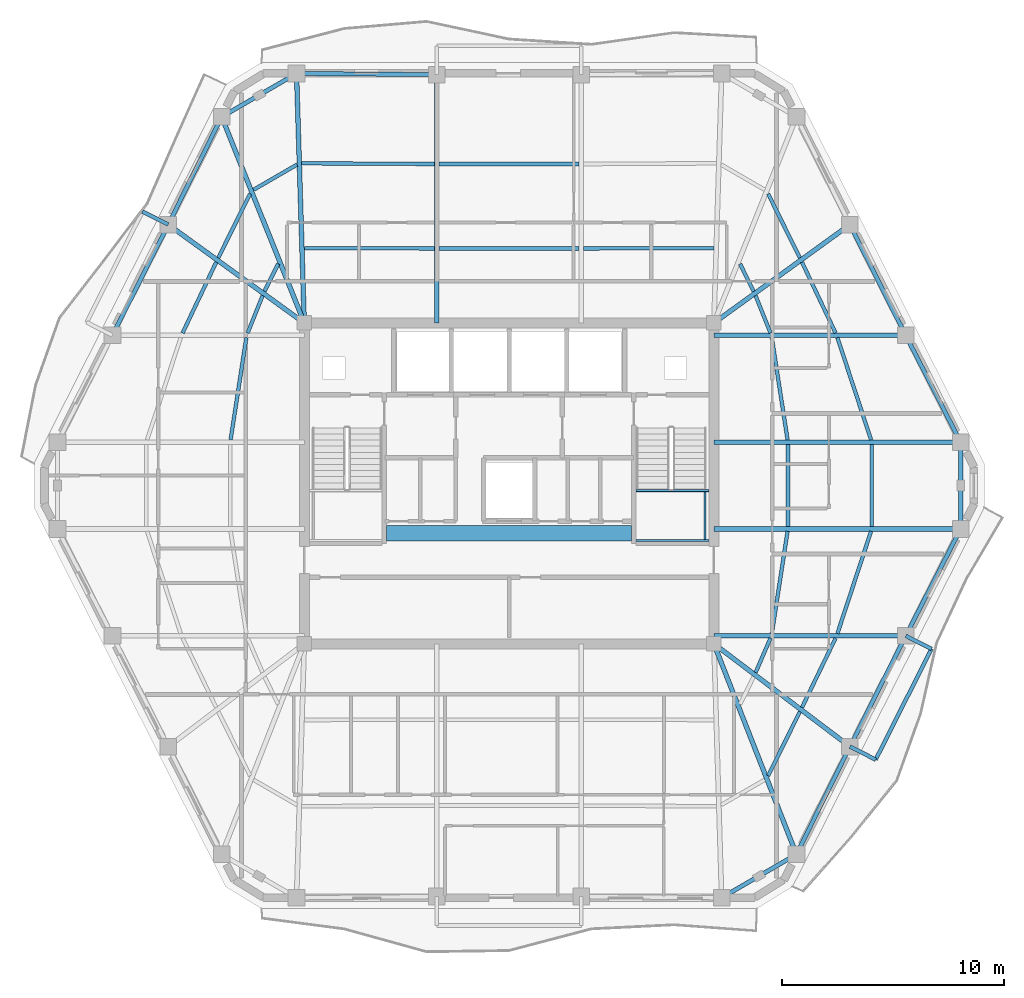
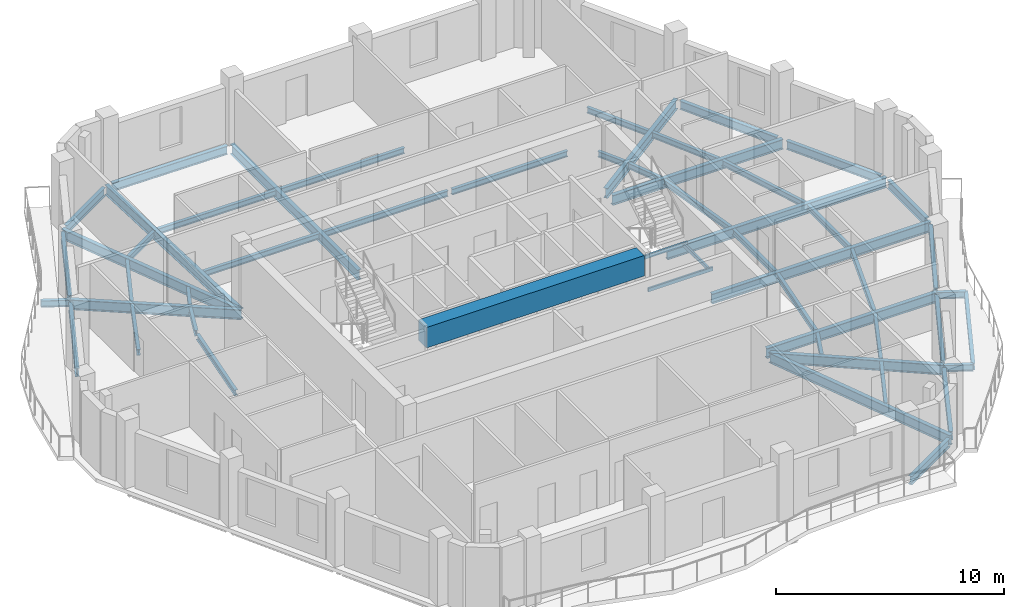
# One storey, part 2 of 11: 54 beams.
"""IFC4 building model written with IfcOpenShell, lengths in metres."""

from ifc_helpers import new_model, si_unit, direction, frame, origin, origin_2d, place, context, subcontext, project, spatial, rectangle, hollow_rectangle, i_section, extrude, material, material_profile, profile_set, type_object, element, save


model = new_model("IFC4")

# Units and contexts
model_context = context("Model", 3, precision=1e-05, world=origin(), true_north=direction((0.0, 1.0)))
body_context = subcontext(model_context, "Body", "Model", "MODEL_VIEW")
ifc_project = project(units=[si_unit("LENGTHUNIT", "METRE"), si_unit("AREAUNIT", "SQUARE_METRE"), si_unit("VOLUMEUNIT", "CUBIC_METRE"), si_unit("PLANEANGLEUNIT", "RADIAN"), si_unit("MASSUNIT", "GRAM", prefix="KILO")], contexts=[model_context])

# Site, building, storey
site_placement = place(None, origin())
site = spatial("IfcSite", under=ifc_project, at=site_placement, CompositionType="ELEMENT")
building_placement = place(site_placement, origin())
building = spatial("IfcBuilding", under=site, at=building_placement, Name="Cinnabar Lancet Tower", CompositionType="ELEMENT")
storey_placement = place(building_placement, frame((0.0, 0.0, 248.89990234375)))
storey = spatial("IfcBuildingStorey", under=building, at=storey_placement, Name="L66", CompositionType="ELEMENT", Elevation=248.89990234375)

# Beams
ifc_material_1 = material(Name="Concrete C70/85", Category="concrete")
ifc_material_profile_1 = material_profile(ifc_material_1, rectangle(XDim=0.699951171875, YDim=1.10009765625, at=origin_2d()), Name="RC-CB 700x1100")
ifc_profile_set_1 = profile_set([ifc_material_profile_1], Name="Concrete C70/85")
beam_type_1 = type_object("IfcBeamType", Name="STR-BM-CB-1100", PredefinedType="BEAM", material=ifc_profile_set_1)
beam_1_placement = place(storey_placement, frame((26.8798828125, 23.64990234375, 2.900146484375), z_axis=(1.0, 0.0, 0.0), x_axis=(0.0, 1.0, 0.0)))
element("IfcBeam", 1, at=beam_1_placement, inside=storey, type_object=beam_type_1, Name="L66 Core Coupling Beam", PredefinedType="BEAM", context=body_context, shape_type="SweptSolid", body=[
    extrude(rectangle(XDim=0.699951171875, YDim=1.10009765625, at=origin_2d()), origin(), (0.0, 0.0, 1.0), 11.0400390625),
])
ifc_material_2 = material(Name="Structural steel S355", Category="steel")
ifc_material_profile_2 = material_profile(ifc_material_2, i_section(OverallWidth=0.1650390625, OverallDepth=0.303466796875, WebThickness=0.006103515625, FlangeThickness=0.01025390625, FilletRadius=0.0087890625, at=origin_2d()), Name="UKB 305x165x40")
ifc_profile_set_2 = profile_set([ifc_material_profile_2], Name="Structural steel S355")
beam_type_2 = type_object("IfcBeamType", Name="STR-BM-JST-305", PredefinedType="JOIST", material=ifc_profile_set_2)
beam_2_placement = place(storey_placement, frame((44.06591796875, 12.73193359375, -0.351806640625), z_axis=(0.444391284604, 0.895832789179, 0.0), x_axis=(-0.895832789179, 0.444391284604, 0.0)))
element("IfcBeam", 2, at=beam_2_placement, inside=storey, type_object=beam_type_2, Name="L66 Secondary Floor Joist 15", PredefinedType="JOIST", context=body_context, shape_type="SweptSolid", body=[
    extrude(i_section(OverallWidth=0.1650390625, OverallDepth=0.303466796875, WebThickness=0.006103515625, FlangeThickness=0.01025390625, FilletRadius=0.0087890625, at=origin_2d()), origin(), (0.0, 0.0, 1.0), 3.220458984375),
])
beam_3_placement = place(storey_placement, frame((45.591064453125, 15.80810546875, -0.351806640625), z_axis=(0.43610936109, 0.899893674369, 0.0), x_axis=(-0.899893674369, 0.43610936109, 0.0)))
element("IfcBeam", 3, at=beam_3_placement, inside=storey, type_object=beam_type_2, Name="L66 Secondary Floor Joist 17", PredefinedType="JOIST", context=body_context, shape_type="SweptSolid", body=[
    extrude(i_section(OverallWidth=0.1650390625, OverallDepth=0.303466796875, WebThickness=0.006103515625, FlangeThickness=0.01025390625, FilletRadius=0.0087890625, at=origin_2d()), origin(), (0.0, 0.0, 1.0), 3.467041015625),
])
beam_4_placement = place(storey_placement, frame((43.5048828125, 17.385009765625, -0.351806640625), z_axis=(0.396302440144, 0.91812002262, 0.0), x_axis=(-0.91812002262, 0.396302440144, 0.0)))
element("IfcBeam", 4, at=beam_4_placement, inside=storey, type_object=beam_type_2, Name="L66 Secondary Floor Joist 18", PredefinedType="JOIST", context=body_context, shape_type="SweptSolid", body=[
    extrude(i_section(OverallWidth=0.1650390625, OverallDepth=0.303466796875, WebThickness=0.006103515625, FlangeThickness=0.01025390625, FilletRadius=0.0087890625, at=origin_2d()), origin(), (0.0, 0.0, 1.0), 1.6806640625),
])
beam_5_placement = place(storey_placement, frame((47.18798828125, 19.137939453125, -0.351806640625), z_axis=(0.312491145371, 0.949920672512, 0.0), x_axis=(-0.949920672512, 0.312491145371, 0.0)))
element("IfcBeam", 5, at=beam_5_placement, inside=storey, type_object=beam_type_2, Name="L66 Secondary Floor Joist 19", PredefinedType="JOIST", context=body_context, shape_type="SweptSolid", body=[
    extrude(i_section(OverallWidth=0.1650390625, OverallDepth=0.303466796875, WebThickness=0.006103515625, FlangeThickness=0.01025390625, FilletRadius=0.0087890625, at=origin_2d()), origin(), (0.0, 0.0, 1.0), 4.8447265625),
])
beam_6_placement = place(storey_placement, frame((44.23291015625, 19.137939453125, -0.351806640625), z_axis=(0.152262059154, 0.988340156698, 0.0), x_axis=(-0.988340156698, 0.152262059154, 0.0)))
element("IfcBeam", 6, at=beam_6_placement, inside=storey, type_object=beam_type_2, Name="L66 Secondary Floor Joist 20", PredefinedType="JOIST", context=body_context, shape_type="SweptSolid", body=[
    extrude(i_section(OverallWidth=0.1650390625, OverallDepth=0.303466796875, WebThickness=0.006103515625, FlangeThickness=0.01025390625, FilletRadius=0.0087890625, at=origin_2d()), origin(), (0.0, 0.0, 1.0), 4.65625),
])
for number, where, z_axis, x_axis, name in (
    (7, (48.737060546875, 23.949951171875, -0.351806640625), (0.0, 1.0, 0.0), (-1.0, 0.0, 0.0), "L66 Secondary Floor Joist 21"),
    (8, (44.958984375, 23.949951171875, -0.351806640625), (0.0, 1.0, 0.0), (-1.0, 0.0, 0.0), "L66 Secondary Floor Joist 22"),
):
    element("IfcBeam", number, at=place(storey_placement, frame(where, z_axis=z_axis, x_axis=x_axis)), inside=storey, type_object=beam_type_2, Name=name, PredefinedType="JOIST", context=body_context, shape_type="SweptSolid", body=[
        extrude(i_section(OverallWidth=0.1650390625, OverallDepth=0.303466796875, WebThickness=0.006103515625, FlangeThickness=0.01025390625, FilletRadius=0.0087890625, at=origin_2d()), origin(), (0.0, 0.0, 1.0), 3.699951171875),
    ])
beam_7_placement = place(storey_placement, frame((48.701904296875, 27.860107421875, -0.351806640625), z_axis=(-0.312506104996, 0.94991575118, 0.0), x_axis=(-0.94991575118, -0.312506104996, 0.0)))
element("IfcBeam", 9, at=beam_7_placement, inside=storey, type_object=beam_type_2, Name="L66 Secondary Floor Joist 23", PredefinedType="JOIST", context=body_context, shape_type="SweptSolid", body=[
    extrude(i_section(OverallWidth=0.1650390625, OverallDepth=0.303466796875, WebThickness=0.006103515625, FlangeThickness=0.01025390625, FilletRadius=0.0087890625, at=origin_2d()), origin(), (0.0, 0.0, 1.0), 4.844482421875),
])
beam_8_placement = place(storey_placement, frame((44.94189453125, 27.860107421875, -0.351806640625), z_axis=(-0.152269949853, 0.988338941038, 0.0), x_axis=(-0.988338941038, -0.152269949853, 0.0)))
element("IfcBeam", 10, at=beam_8_placement, inside=storey, type_object=beam_type_2, Name="L66 Secondary Floor Joist 24", PredefinedType="JOIST", context=body_context, shape_type="SweptSolid", body=[
    extrude(i_section(OverallWidth=0.1650390625, OverallDepth=0.303466796875, WebThickness=0.006103515625, FlangeThickness=0.01025390625, FilletRadius=0.0087890625, at=origin_2d()), origin(), (0.0, 0.0, 1.0), 4.656005859375),
])
beam_9_placement = place(storey_placement, frame((47.10400390625, 32.672119140625, -0.351806640625), z_axis=(-0.428647868514, 0.903471640296, 0.0), x_axis=(-0.903471640296, -0.428647868514, 0.0)))
element("IfcBeam", 11, at=beam_9_placement, inside=storey, type_object=beam_type_2, Name="L66 Secondary Floor Joist 25", PredefinedType="JOIST", context=body_context, shape_type="SweptSolid", body=[
    extrude(i_section(OverallWidth=0.1650390625, OverallDepth=0.303466796875, WebThickness=0.006103515625, FlangeThickness=0.01025390625, FilletRadius=0.0087890625, at=origin_2d()), origin(), (0.0, 0.0, 1.0), 3.53173828125),
])
beam_10_placement = place(storey_placement, frame((44.175048828125, 32.672119140625, -0.351806640625), z_axis=(-0.37155332079, 0.928411616585, 0.0), x_axis=(-0.928411616585, -0.37155332079, 0.0)))
element("IfcBeam", 12, at=beam_10_placement, inside=storey, type_object=beam_type_2, Name="L66 Secondary Floor Joist 26", PredefinedType="JOIST", context=body_context, shape_type="SweptSolid", body=[
    extrude(i_section(OverallWidth=0.1650390625, OverallDepth=0.303466796875, WebThickness=0.006103515625, FlangeThickness=0.01025390625, FilletRadius=0.0087890625, at=origin_2d()), origin(), (0.0, 0.0, 1.0), 1.8115234375),
])
beam_11_placement = place(storey_placement, frame((45.4970703125, 36.054931640625, -0.351806640625), z_axis=(-0.44427059531, 0.895892648783, 0.0), x_axis=(-0.895892648783, -0.44427059531, 0.0)))
element("IfcBeam", 13, at=beam_11_placement, inside=storey, type_object=beam_type_2, Name="L66 Secondary Floor Joist 27", PredefinedType="JOIST", context=body_context, shape_type="SweptSolid", body=[
    extrude(i_section(OverallWidth=0.1650390625, OverallDepth=0.303466796875, WebThickness=0.006103515625, FlangeThickness=0.01025390625, FilletRadius=0.0087890625, at=origin_2d()), origin(), (0.0, 0.0, 1.0), 3.221435546875),
])
beam_12_placement = place(storey_placement, frame((43.4150390625, 34.549072265625, -0.351806640625), z_axis=(-0.444661746427, 0.895698571655, 0.0), x_axis=(-0.895698571655, -0.444661746427, 0.0)))
element("IfcBeam", 14, at=beam_12_placement, inside=storey, type_object=beam_type_2, Name="L66 Secondary Floor Joist 28", PredefinedType="JOIST", context=body_context, shape_type="SweptSolid", body=[
    extrude(i_section(OverallWidth=0.1650390625, OverallDepth=0.303466796875, WebThickness=0.006103515625, FlangeThickness=0.01025390625, FilletRadius=0.0087890625, at=origin_2d()), origin(), (0.0, 0.0, 1.0), 1.378662109375),
])
beam_13_placement = place(storey_placement, frame((41.6240234375, 36.49609375, -0.351806640625), z_axis=(-0.999996226008, -0.002747356738, 0.0), x_axis=(0.002747356738, -0.999996226008, 0.0)))
element("IfcBeam", 15, at=beam_13_placement, inside=storey, type_object=beam_type_2, Name="L66 Secondary Floor Joist 31", PredefinedType="JOIST", context=body_context, shape_type="SweptSolid", body=[
    extrude(i_section(OverallWidth=0.1650390625, OverallDepth=0.303466796875, WebThickness=0.006103515625, FlangeThickness=0.01025390625, FilletRadius=0.0087890625, at=origin_2d()), origin(), (0.0, 0.0, 1.0), 5.864990234375),
])
for number, where, z_axis, x_axis, name in (
    (16, (35.549072265625, 40.281982421875, -0.351806640625), (-1.0, 0.0, 0.0), (0.0, -1.0, 0.0), "L66 Secondary Floor Joist 32"),
    (17, (35.549072265625, 36.47998046875, -0.351806640625), (-1.0, 0.0, 0.0), (0.0, -1.0, 0.0), "L66 Secondary Floor Joist 33"),
):
    element("IfcBeam", number, at=place(storey_placement, frame(where, z_axis=z_axis, x_axis=x_axis)), inside=storey, type_object=beam_type_2, Name=name, PredefinedType="JOIST", context=body_context, shape_type="SweptSolid", body=[
        extrude(i_section(OverallWidth=0.1650390625, OverallDepth=0.303466796875, WebThickness=0.006103515625, FlangeThickness=0.01025390625, FilletRadius=0.0087890625, at=origin_2d()), origin(), (0.0, 0.0, 1.0), 6.298095703125),
    ])
beam_14_placement = place(storey_placement, frame((29.041015625, 40.282958984375, -0.351806640625), z_axis=(-0.999985712428, 0.005345553266, 0.0), x_axis=(-0.005345553266, -0.999985712428, 0.0)))
element("IfcBeam", 18, at=beam_14_placement, inside=storey, type_object=beam_type_2, Name="L66 Secondary Floor Joist 34", PredefinedType="JOIST", context=body_context, shape_type="SweptSolid", body=[
    extrude(i_section(OverallWidth=0.1650390625, OverallDepth=0.303466796875, WebThickness=0.006103515625, FlangeThickness=0.01025390625, FilletRadius=0.0087890625, at=origin_2d()), origin(), (0.0, 0.0, 1.0), 5.98291015625),
])
beam_15_placement = place(storey_placement, frame((29.041015625, 36.47998046875, -0.351806640625), z_axis=(-0.999996226008, 0.002747356738, 0.0), x_axis=(-0.002747356738, -0.999996226008, 0.0)))
element("IfcBeam", 19, at=beam_15_placement, inside=storey, type_object=beam_type_2, Name="L66 Secondary Floor Joist 35", PredefinedType="JOIST", context=body_context, shape_type="SweptSolid", body=[
    extrude(i_section(OverallWidth=0.1650390625, OverallDepth=0.303466796875, WebThickness=0.006103515625, FlangeThickness=0.01025390625, FilletRadius=0.0087890625, at=origin_2d()), origin(), (0.0, 0.0, 1.0), 5.864990234375),
])
beam_16_placement = place(storey_placement, frame((22.85009765625, 40.256103515625, -0.351806640625), z_axis=(-0.865426285481, -0.501036270542, 0.0), x_axis=(0.501036270542, -0.865426285481, 0.0)))
element("IfcBeam", 20, at=beam_16_placement, inside=storey, type_object=beam_type_2, Name="L66 Secondary Floor Joist 36", PredefinedType="JOIST", context=body_context, shape_type="SweptSolid", body=[
    extrude(i_section(OverallWidth=0.1650390625, OverallDepth=0.303466796875, WebThickness=0.006103515625, FlangeThickness=0.01025390625, FilletRadius=0.0087890625, at=origin_2d()), origin(), (0.0, 0.0, 1.0), 2.267333984375),
])
beam_17_placement = place(storey_placement, frame((20.73388671875, 38.94091796875, -0.351806640625), z_axis=(-0.444209762814, -0.89592281287, 0.0), x_axis=(0.89592281287, -0.444209762814, 0.0)))
element("IfcBeam", 21, at=beam_17_placement, inside=storey, type_object=beam_type_2, Name="L66 Secondary Floor Joist 37", PredefinedType="JOIST", context=body_context, shape_type="SweptSolid", body=[
    extrude(i_section(OverallWidth=0.1650390625, OverallDepth=0.303466796875, WebThickness=0.006103515625, FlangeThickness=0.01025390625, FilletRadius=0.0087890625, at=origin_2d()), origin(), (0.0, 0.0, 1.0), 3.22119140625),
])
beam_18_placement = place(storey_placement, frame((21.998046875, 35.783935546875, -0.351806640625), z_axis=(-0.444661746427, -0.895698571655, 0.0), x_axis=(0.895698571655, -0.444661746427, 0.0)))
element("IfcBeam", 22, at=beam_18_placement, inside=storey, type_object=beam_type_2, Name="L66 Secondary Floor Joist 38", PredefinedType="JOIST", context=body_context, shape_type="SweptSolid", body=[
    extrude(i_section(OverallWidth=0.1650390625, OverallDepth=0.303466796875, WebThickness=0.006103515625, FlangeThickness=0.01025390625, FilletRadius=0.0087890625, at=origin_2d()), origin(), (0.0, 0.0, 1.0), 1.378662109375),
])
beam_19_placement = place(storey_placement, frame((19.2099609375, 35.863037109375, -0.351806640625), z_axis=(-0.428647868514, -0.903471640296, 0.0), x_axis=(0.903471640296, -0.428647868514, 0.0)))
element("IfcBeam", 23, at=beam_19_placement, inside=storey, type_object=beam_type_2, Name="L66 Secondary Floor Joist 39", PredefinedType="JOIST", context=body_context, shape_type="SweptSolid", body=[
    extrude(i_section(OverallWidth=0.1650390625, OverallDepth=0.303466796875, WebThickness=0.006103515625, FlangeThickness=0.01025390625, FilletRadius=0.0087890625, at=origin_2d()), origin(), (0.0, 0.0, 1.0), 3.53173828125),
])
beam_20_placement = place(storey_placement, frame((21.298095703125, 34.35400390625, -0.351806640625), z_axis=(-0.37155332079, -0.928411616585, 0.0), x_axis=(0.928411616585, -0.37155332079, 0.0)))
element("IfcBeam", 24, at=beam_20_placement, inside=storey, type_object=beam_type_2, Name="L66 Secondary Floor Joist 40", PredefinedType="JOIST", context=body_context, shape_type="SweptSolid", body=[
    extrude(i_section(OverallWidth=0.1650390625, OverallDepth=0.303466796875, WebThickness=0.006103515625, FlangeThickness=0.01025390625, FilletRadius=0.0087890625, at=origin_2d()), origin(), (0.0, 0.0, 1.0), 1.8115234375),
])
beam_21_placement = place(storey_placement, frame((20.56689453125, 32.4619140625, -0.351806640625), z_axis=(-0.152269949853, -0.988338941038, 0.0), x_axis=(0.988338941038, -0.152269949853, 0.0)))
element("IfcBeam", 25, at=beam_21_placement, inside=storey, type_object=beam_type_2, Name="L66 Secondary Floor Joist 42", PredefinedType="JOIST", context=body_context, shape_type="SweptSolid", body=[
    extrude(i_section(OverallWidth=0.1650390625, OverallDepth=0.303466796875, WebThickness=0.006103515625, FlangeThickness=0.01025390625, FilletRadius=0.0087890625, at=origin_2d()), origin(), (0.0, 0.0, 1.0), 4.656005859375),
])
ifc_material_3 = material(Name="Structural steel S355", Category="steel")
ifc_material_profile_3 = material_profile(ifc_material_3, hollow_rectangle(XDim=0.10009765625, YDim=0.199951171875, WallThickness=0.008056640625, InnerFilletRadius=0.00390625, OuterFilletRadius=0.011962890625, at=origin_2d()), Name="RHS 200x100x8")
ifc_profile_set_3 = profile_set([ifc_material_profile_3], Name="Structural steel S355")
beam_type_3 = type_object("IfcBeamType", Name="STR-BM-LND-203", PredefinedType="BEAM", material=ifc_profile_set_3)
for number, where, z_axis, x_axis, name in (
    (26, (38.1201171875, 23.330078125, 1.525146484375), (1.0, 0.0, 0.0), (0.0, 1.0, 0.0), "L66 ST-2-L66 Landing Support Beam S"),
    (27, (38.1201171875, 25.570068359375, 1.525146484375), (1.0, 0.0, 0.0), (0.0, 1.0, 0.0), "L66 ST-2-L66 Landing Support Beam N"),
):
    element("IfcBeam", number, at=place(storey_placement, frame(where, z_axis=z_axis, x_axis=x_axis)), inside=storey, type_object=beam_type_3, Name=name, PredefinedType="BEAM", context=body_context, shape_type="SweptSolid", body=[
        extrude(hollow_rectangle(XDim=0.10009765625, YDim=0.199951171875, WallThickness=0.008056640625, InnerFilletRadius=0.00390625, OuterFilletRadius=0.011962890625, at=origin_2d()), origin(), (0.0, 0.0, 1.0), 3.27978515625),
    ])
beam_22_placement = place(storey_placement, frame((41.219970703125, 23.3798828125, 1.525146484375), z_axis=(0.0, 1.0, 0.0), x_axis=(-1.0, 0.0, 0.0)))
element("IfcBeam", 28, at=beam_22_placement, inside=storey, type_object=beam_type_3, Name="L66 ST-2-L66 Landing Side Trimmer Beam", PredefinedType="BEAM", context=body_context, shape_type="SweptSolid", body=[
    extrude(hollow_rectangle(XDim=0.10009765625, YDim=0.199951171875, WallThickness=0.008056640625, InnerFilletRadius=0.00390625, OuterFilletRadius=0.011962890625, at=origin_2d()), origin(), (0.0, 0.0, 1.0), 2.14013671875),
])
ifc_material_4 = material(Name="Structural steel S355", Category="steel")
ifc_material_profile_4 = material_profile(ifc_material_4, i_section(OverallWidth=0.1904296875, OverallDepth=0.45703125, WebThickness=0.009033203125, FlangeThickness=0.014404296875, FilletRadius=0.01025390625, at=origin_2d()), Name="UKB 457x191x74")
ifc_profile_set_4 = profile_set([ifc_material_profile_4], Name="Structural steel S355")
beam_type_4 = type_object("IfcBeamType", Name="STR-BM-SPN-457", PredefinedType="SPANDREL", material=ifc_profile_set_4)
beam_23_placement = place(storey_placement, frame((42.18798828125, 7.364013671875, -0.428955078125), z_axis=(0.865230894194, 0.50137361292, 0.0), x_axis=(-0.50137361292, 0.865230894194, 0.0)))
element("IfcBeam", 29, at=beam_23_placement, inside=storey, type_object=beam_type_4, Name="L66 Perimeter Spandrel 4", PredefinedType="SPANDREL", context=body_context, shape_type="SweptSolid", body=[
    extrude(i_section(OverallWidth=0.1904296875, OverallDepth=0.45703125, WebThickness=0.009033203125, FlangeThickness=0.014404296875, FilletRadius=0.01025390625, at=origin_2d()), origin(), (0.0, 0.0, 1.0), 3.39453125),
])
beam_24_placement = place(storey_placement, frame((45.451904296875, 9.4150390625, -0.428955078125), z_axis=(0.444372599207, 0.895842058107, 0.0), x_axis=(-0.895842058107, 0.444372599207, 0.0)))
element("IfcBeam", 30, at=beam_24_placement, inside=storey, type_object=beam_type_4, Name="L66 Perimeter Spandrel 5", PredefinedType="SPANDREL", context=body_context, shape_type="SweptSolid", body=[
    extrude(i_section(OverallWidth=0.1904296875, OverallDepth=0.45703125, WebThickness=0.009033203125, FlangeThickness=0.014404296875, FilletRadius=0.01025390625, at=origin_2d()), origin(), (0.0, 0.0, 1.0), 4.91943359375),
])
beam_25_placement = place(storey_placement, frame((47.862060546875, 14.26904296875, -0.428955078125), z_axis=(0.450091864122, 0.892982258419, 0.0), x_axis=(-0.892982258419, 0.450091864122, 0.0)))
element("IfcBeam", 31, at=beam_25_placement, inside=storey, type_object=beam_type_4, Name="L66 Perimeter Spandrel 6", PredefinedType="SPANDREL", context=body_context, shape_type="SweptSolid", body=[
    extrude(i_section(OverallWidth=0.1904296875, OverallDepth=0.45703125, WebThickness=0.009033203125, FlangeThickness=0.014404296875, FilletRadius=0.01025390625, at=origin_2d()), origin(), (0.0, 0.0, 1.0), 5.085205078125),
])
beam_26_placement = place(storey_placement, frame((50.3779296875, 19.2548828125, -0.428955078125), z_axis=(0.457127852293, 0.889400993174, 0.0), x_axis=(-0.889400993174, 0.457127852293, 0.0)))
element("IfcBeam", 32, at=beam_26_placement, inside=storey, type_object=beam_type_4, Name="L66 Perimeter Spandrel 7", PredefinedType="SPANDREL", context=body_context, shape_type="SweptSolid", body=[
    extrude(i_section(OverallWidth=0.1904296875, OverallDepth=0.45703125, WebThickness=0.009033203125, FlangeThickness=0.014404296875, FilletRadius=0.01025390625, at=origin_2d()), origin(), (0.0, 0.0, 1.0), 4.911376953125),
])
beam_27_placement = place(storey_placement, frame((52.737060546875, 24.094970703125, -0.428955078125), z_axis=(0.0, 1.0, 0.0), x_axis=(-1.0, 0.0, 0.0)))
element("IfcBeam", 33, at=beam_27_placement, inside=storey, type_object=beam_type_4, Name="L66 Perimeter Spandrel 8", PredefinedType="SPANDREL", context=body_context, shape_type="SweptSolid", body=[
    extrude(i_section(OverallWidth=0.1904296875, OverallDepth=0.45703125, WebThickness=0.009033203125, FlangeThickness=0.014404296875, FilletRadius=0.01025390625, at=origin_2d()), origin(), (0.0, 0.0, 1.0), 3.409912109375),
])
beam_28_placement = place(storey_placement, frame((52.623046875, 27.97705078125, -0.428955078125), z_axis=(-0.457148063427, 0.889390604912, 0.0), x_axis=(-0.889390604912, -0.457148063427, 0.0)))
element("IfcBeam", 34, at=beam_28_placement, inside=storey, type_object=beam_type_4, Name="L66 Perimeter Spandrel 9", PredefinedType="SPANDREL", context=body_context, shape_type="SweptSolid", body=[
    extrude(i_section(OverallWidth=0.1904296875, OverallDepth=0.45703125, WebThickness=0.009033203125, FlangeThickness=0.014404296875, FilletRadius=0.01025390625, at=origin_2d()), origin(), (0.0, 0.0, 1.0), 4.9111328125),
])
beam_29_placement = place(storey_placement, frame((50.15087890625, 32.7900390625, -0.428955078125), z_axis=(-0.450091864122, 0.892982258419, 0.0), x_axis=(-0.892982258419, -0.450091864122, 0.0)))
element("IfcBeam", 35, at=beam_29_placement, inside=storey, type_object=beam_type_4, Name="L66 Perimeter Spandrel 10", PredefinedType="SPANDREL", context=body_context, shape_type="SweptSolid", body=[
    extrude(i_section(OverallWidth=0.1904296875, OverallDepth=0.45703125, WebThickness=0.009033203125, FlangeThickness=0.014404296875, FilletRadius=0.01025390625, at=origin_2d()), origin(), (0.0, 0.0, 1.0), 5.085205078125),
])
beam_30_placement = place(storey_placement, frame((28.89599609375, 44.31005859375, -0.428955078125), z_axis=(-0.999964785419, 0.008392134492, 0.0), x_axis=(-0.008392134492, -0.999964785419, 0.0)))
element("IfcBeam", 36, at=beam_30_placement, inside=storey, type_object=beam_type_4, Name="L66 Perimeter Spandrel 15", PredefinedType="SPANDREL", context=body_context, shape_type="SweptSolid", body=[
    extrude(i_section(OverallWidth=0.1904296875, OverallDepth=0.45703125, WebThickness=0.009033203125, FlangeThickness=0.014404296875, FilletRadius=0.01025390625, at=origin_2d()), origin(), (0.0, 0.0, 1.0), 5.818359375),
])
beam_31_placement = place(storey_placement, frame((22.612060546875, 44.236083984375, -0.428955078125), z_axis=(-0.865199693264, -0.501427453153, 0.0), x_axis=(0.501427453153, -0.865199693264, 0.0)))
element("IfcBeam", 37, at=beam_31_placement, inside=storey, type_object=beam_type_4, Name="L66 Perimeter Spandrel 16", PredefinedType="SPANDREL", context=body_context, shape_type="SweptSolid", body=[
    extrude(i_section(OverallWidth=0.1904296875, OverallDepth=0.45703125, WebThickness=0.009033203125, FlangeThickness=0.014404296875, FilletRadius=0.01025390625, at=origin_2d()), origin(), (0.0, 0.0, 1.0), 3.39453125),
])
beam_32_placement = place(storey_placement, frame((19.347900390625, 42.18505859375, -0.428955078125), z_axis=(-0.44433276947, -0.895861814107, 0.0), x_axis=(0.895861814107, -0.44433276947, 0.0)))
element("IfcBeam", 38, at=beam_32_placement, inside=storey, type_object=beam_type_4, Name="L66 Perimeter Spandrel 17", PredefinedType="SPANDREL", context=body_context, shape_type="SweptSolid", body=[
    extrude(i_section(OverallWidth=0.1904296875, OverallDepth=0.45703125, WebThickness=0.009033203125, FlangeThickness=0.014404296875, FilletRadius=0.01025390625, at=origin_2d()), origin(), (0.0, 0.0, 1.0), 4.919189453125),
])
beam_33_placement = place(storey_placement, frame((16.93798828125, 37.3310546875, -0.428955078125), z_axis=(-0.450130146726, -0.892962961722, 0.0), x_axis=(0.892962961722, -0.450130146726, 0.0)))
element("IfcBeam", 39, at=beam_33_placement, inside=storey, type_object=beam_type_4, Name="L66 Perimeter Spandrel 18", PredefinedType="SPANDREL", context=body_context, shape_type="SweptSolid", body=[
    extrude(i_section(OverallWidth=0.1904296875, OverallDepth=0.45703125, WebThickness=0.009033203125, FlangeThickness=0.014404296875, FilletRadius=0.01025390625, at=origin_2d()), origin(), (0.0, 0.0, 1.0), 5.08544921875),
])
ifc_material_5 = material(Name="Structural steel S355", Category="steel")
ifc_material_profile_5 = material_profile(ifc_material_5, i_section(OverallWidth=0.209228515625, OverallDepth=0.533203125, WebThickness=0.010009765625, FlangeThickness=0.015625, FilletRadius=0.0126953125, at=origin_2d()), Name="UKB 533x210x92")
ifc_profile_set_5 = profile_set([ifc_material_profile_5], Name="Structural steel S355")
beam_type_5 = type_object("IfcBeamType", Name="STR-BM-UKB533-92", PredefinedType="BEAM", material=ifc_profile_set_5)
beam_34_placement = place(storey_placement, frame((47.7490234375, 14.0458984375, -0.466796875), z_axis=(-0.797735075719, 0.603008083667, 0.0), x_axis=(-0.603008083667, -0.797735075719, 0.0)))
element("IfcBeam", 40, at=beam_34_placement, inside=storey, type_object=beam_type_5, Name="L66 Corner Collector Girder 2", PredefinedType="BEAM", context=body_context, shape_type="SweptSolid", body=[
    extrude(i_section(OverallWidth=0.209228515625, OverallDepth=0.533203125, WebThickness=0.010009765625, FlangeThickness=0.015625, FilletRadius=0.0126953125, at=origin_2d()), origin(), (0.0, 0.0, 1.0), 7.6767578125),
])
for number, where, z_axis, x_axis, name in (
    (41, (47.7490234375, 37.553955078125, -0.466796875), (-0.810299148474, -0.586016458797, 0.0), (0.586016458797, -0.810299148474, 0.0), "L66 Corner Collector Girder 3"),
    (42, (17.051025390625, 37.553955078125, -0.466796875), (0.810299148474, -0.586016458797, 0.0), (0.586016458797, 0.810299148474, 0.0), "L66 Corner Collector Girder 4"),
):
    element("IfcBeam", number, at=place(storey_placement, frame(where, z_axis=z_axis, x_axis=x_axis)), inside=storey, type_object=beam_type_5, Name=name, PredefinedType="BEAM", context=body_context, shape_type="SweptSolid", body=[
        extrude(i_section(OverallWidth=0.209228515625, OverallDepth=0.533203125, WebThickness=0.010009765625, FlangeThickness=0.015625, FilletRadius=0.0126953125, at=origin_2d()), origin(), (0.0, 0.0, 1.0), 7.5576171875),
    ])
beam_35_placement = place(storey_placement, frame((45.341064453125, 9.19091796875, -0.466796875), z_axis=(-0.364815017375, 0.931080019707, 0.0), x_axis=(-0.931080019707, -0.364815017375, 0.0)))
element("IfcBeam", 43, at=beam_35_placement, inside=storey, type_object=beam_type_5, Name="L66 Primary Floor Girder 5", PredefinedType="BEAM", context=body_context, shape_type="SweptSolid", body=[
    extrude(i_section(OverallWidth=0.209228515625, OverallDepth=0.533203125, WebThickness=0.010009765625, FlangeThickness=0.015625, FilletRadius=0.0126953125, at=origin_2d()), origin(), (0.0, 0.0, 1.0), 10.186279296875),
])
beam_36_placement = place(storey_placement, frame((50.263916015625, 19.032958984375, -0.466796875), z_axis=(-1.0, 0.0, 0.0), x_axis=(0.0, -1.0, 0.0)))
element("IfcBeam", 44, at=beam_36_placement, inside=storey, type_object=beam_type_5, Name="L66 Primary Floor Girder 7", PredefinedType="BEAM", context=body_context, shape_type="SweptSolid", body=[
    extrude(i_section(OverallWidth=0.209228515625, OverallDepth=0.533203125, WebThickness=0.010009765625, FlangeThickness=0.015625, FilletRadius=0.0126953125, at=origin_2d()), origin(), (0.0, 0.0, 1.0), 8.638916015625),
])
for number, where, z_axis, x_axis, name in (
    (45, (52.737060546875, 23.844970703125, -0.466796875), (-1.0, 0.0, 0.0), (0.0, -1.0, 0.0), "L66 Primary Floor Girder 8"),
    (46, (52.737060546875, 27.7548828125, -0.466796875), (-1.0, 0.0, 0.0), (0.0, -1.0, 0.0), "L66 Primary Floor Girder 9"),
):
    element("IfcBeam", number, at=place(storey_placement, frame(where, z_axis=z_axis, x_axis=x_axis)), inside=storey, type_object=beam_type_5, Name=name, PredefinedType="BEAM", context=body_context, shape_type="SweptSolid", body=[
        extrude(i_section(OverallWidth=0.209228515625, OverallDepth=0.533203125, WebThickness=0.010009765625, FlangeThickness=0.015625, FilletRadius=0.0126953125, at=origin_2d()), origin(), (0.0, 0.0, 1.0), 11.112060546875),
    ])
beam_37_placement = place(storey_placement, frame((50.263916015625, 32.56689453125, -0.466796875), z_axis=(-1.0, 0.0, 0.0), x_axis=(0.0, -1.0, 0.0)))
element("IfcBeam", 47, at=beam_37_placement, inside=storey, type_object=beam_type_5, Name="L66 Primary Floor Girder 10", PredefinedType="BEAM", context=body_context, shape_type="SweptSolid", body=[
    extrude(i_section(OverallWidth=0.209228515625, OverallDepth=0.533203125, WebThickness=0.010009765625, FlangeThickness=0.015625, FilletRadius=0.0126953125, at=origin_2d()), origin(), (0.0, 0.0, 1.0), 8.638916015625),
])
beam_38_placement = place(storey_placement, frame((29.14599609375, 44.30810546875, -0.466796875), z_axis=(0.0, -1.0, 0.0), x_axis=(1.0, 0.0, 0.0)))
element("IfcBeam", 48, at=beam_38_placement, inside=storey, type_object=beam_type_5, Name="L66 Primary Floor Girder 15", PredefinedType="BEAM", context=body_context, shape_type="SweptSolid", body=[
    extrude(i_section(OverallWidth=0.209228515625, OverallDepth=0.533203125, WebThickness=0.010009765625, FlangeThickness=0.015625, FilletRadius=0.0126953125, at=origin_2d()), origin(), (0.0, 0.0, 1.0), 11.18310546875),
])
beam_39_placement = place(storey_placement, frame((22.827880859375, 44.361083984375, -0.466796875), z_axis=(0.030882856862, -0.999523010817, 0.0), x_axis=(0.999523010817, 0.030882856862, 0.0)))
element("IfcBeam", 49, at=beam_39_placement, inside=storey, type_object=beam_type_5, Name="L66 Primary Floor Girder 16", PredefinedType="BEAM", context=body_context, shape_type="SweptSolid", body=[
    extrude(i_section(OverallWidth=0.209228515625, OverallDepth=0.533203125, WebThickness=0.010009765625, FlangeThickness=0.015625, FilletRadius=0.0126953125, at=origin_2d()), origin(), (0.0, 0.0, 1.0), 11.241455078125),
])
beam_40_placement = place(storey_placement, frame((19.458984375, 42.408935546875, -0.466796875), z_axis=(0.371605341166, -0.928390796172, 0.0), x_axis=(0.928390796172, 0.371605341166, 0.0)))
element("IfcBeam", 50, at=beam_40_placement, inside=storey, type_object=beam_type_5, Name="L66 Primary Floor Girder 17", PredefinedType="BEAM", context=body_context, shape_type="SweptSolid", body=[
    extrude(i_section(OverallWidth=0.209228515625, OverallDepth=0.533203125, WebThickness=0.010009765625, FlangeThickness=0.015625, FilletRadius=0.0126953125, at=origin_2d()), origin(), (0.0, 0.0, 1.0), 10.0),
])
ifc_material_6 = material(Name="Structural steel S355", Category="steel")
ifc_material_profile_6 = material_profile(ifc_material_6, i_section(OverallWidth=0.17138671875, OverallDepth=0.35498046875, WebThickness=0.00732421875, FlangeThickness=0.011474609375, FilletRadius=0.01025390625, at=origin_2d()), Name="UKB 356x171x51")
ifc_profile_set_6 = profile_set([ifc_material_profile_6], Name="Structural steel S355")
beam_type_6 = type_object("IfcBeamType", Name="STR-BM-WAV-OUT", PredefinedType="BEAM", material=ifc_profile_set_6)
for number, where, z_axis, x_axis, name in (
    (51, (47.7490234375, 14.0458984375, -0.39794921875), (0.89227592947, -0.451490493464, 0.0), (0.451490493464, 0.89227592947, 0.0), "L66 Face 2 Balcony Outlooker A"),
    (52, (50.263916015625, 19.032958984375, -0.39794921875), (0.892314203325, -0.451414845285, 0.0), (0.451414845285, 0.892314203325, 0.0), "L66 Face 2 Balcony Outlooker B"),
    (53, (17.051025390625, 37.553955078125, -0.39794921875), (-0.892200264127, 0.451639998995, 0.0), (-0.451639998995, -0.892200264127, 0.0), "L66 Face 5 Balcony Outlooker A"),
):
    element("IfcBeam", number, at=place(storey_placement, frame(where, z_axis=z_axis, x_axis=x_axis)), inside=storey, type_object=beam_type_6, Name=name, PredefinedType="BEAM", context=body_context, shape_type="SweptSolid", body=[
        extrude(i_section(OverallWidth=0.17138671875, OverallDepth=0.35498046875, WebThickness=0.00732421875, FlangeThickness=0.011474609375, FilletRadius=0.01025390625, at=origin_2d()), origin(), (0.0, 0.0, 1.0), 1.300048828125),
    ])
ifc_material_7 = material(Name="Structural steel S355", Category="steel")
ifc_material_profile_7 = material_profile(ifc_material_7, i_section(OverallWidth=0.17138671875, OverallDepth=0.35498046875, WebThickness=0.00732421875, FlangeThickness=0.011474609375, FilletRadius=0.01025390625, at=origin_2d()), Name="UKB 356x171x51")
ifc_profile_set_7 = profile_set([ifc_material_profile_7], Name="Structural steel S355")
beam_type_7 = type_object("IfcBeamType", Name="STR-BM-WAV-TRIM", PredefinedType="SPANDREL", material=ifc_profile_set_7)
beam_41_placement = place(storey_placement, frame((48.908935546875, 13.458984375, -0.39794921875), z_axis=(0.450305622338, 0.892874485295, 0.0), x_axis=(-0.892874485295, 0.450305622338, 0.0)))
element("IfcBeam", 54, at=beam_41_placement, inside=storey, type_object=beam_type_7, Name="L66 Face 2 Balcony Edge Trimmer", PredefinedType="SPANDREL", context=body_context, shape_type="SweptSolid", body=[
    extrude(i_section(OverallWidth=0.17138671875, OverallDepth=0.35498046875, WebThickness=0.00732421875, FlangeThickness=0.011474609375, FilletRadius=0.01025390625, at=origin_2d()), origin(), (0.0, 0.0, 1.0), 5.58544921875),
])

save(model, "model.ifc")
